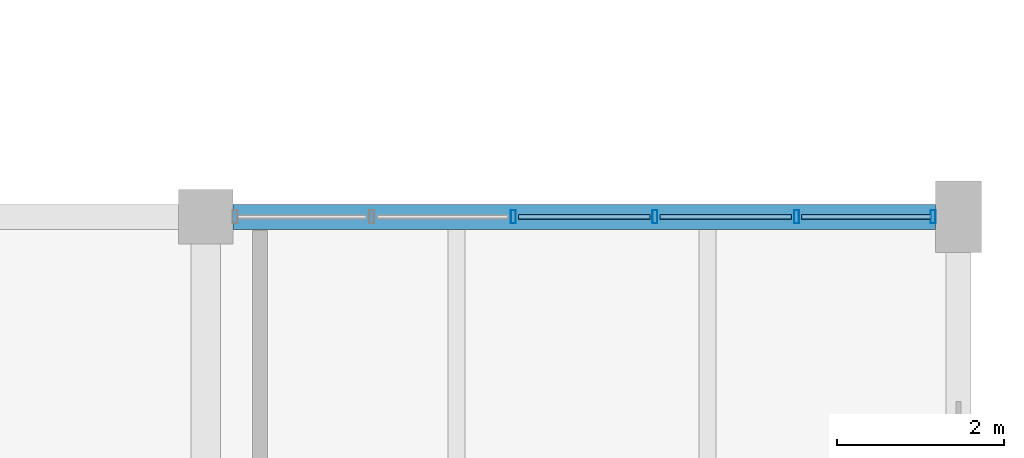
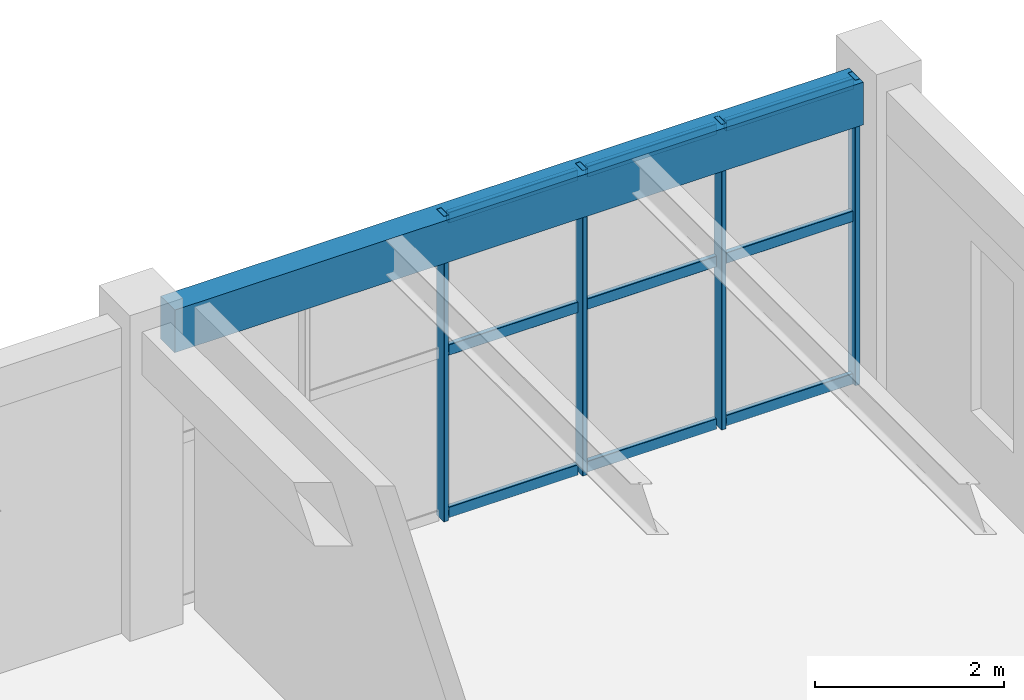
# One storey, part 52 of 71: 13 members, 1 beam, 1 element without a shape of its own.
"""IFC4 building model written with IfcOpenShell, lengths in metres."""

from ifc_helpers import new_model, si_unit, derived_unit, direction, frame, origin, origin_2d, place, context, subcontext, project, spatial, rectangle, hollow_rectangle, extrude, material, material_profile, profile_set, type_object, element, aggregate, save


model = new_model("IFC4")

# Units and contexts
model_context = context("Model", 3, precision=1e-05, world=origin(), true_north=direction((0.0, 1.0)))
body_context = subcontext(model_context, "Body", "Model", "MODEL_VIEW")
ifc_project = project(units=[si_unit("LENGTHUNIT", "METRE"), si_unit("AREAUNIT", "SQUARE_METRE"), si_unit("VOLUMEUNIT", "CUBIC_METRE"), si_unit("PLANEANGLEUNIT", "RADIAN"), si_unit("MASSUNIT", "GRAM", prefix="KILO"), derived_unit("THERMALTRANSMITTANCEUNIT", [(si_unit("MASSUNIT", "GRAM", prefix="KILO"), 1), (si_unit("TIMEUNIT", "SECOND"), -3), (si_unit("THERMODYNAMICTEMPERATUREUNIT", "KELVIN"), -1)])], contexts=[model_context])

# Site, building, storey
site_placement = place(None, origin())
site = spatial("IfcSite", under=ifc_project, at=site_placement, CompositionType="ELEMENT")
building_placement = place(site_placement, origin())
building = spatial("IfcBuilding", under=site, at=building_placement, Name="Zhenchuan Archway Interchange", CompositionType="ELEMENT")
storey_placement = place(building_placement, frame((0.0, 0.0, 18.60009765625)))
storey = spatial("IfcBuildingStorey", under=building, at=storey_placement, Name="L04", CompositionType="ELEMENT", Elevation=18.60009765625)

# Curtain wall, members
ifc_material_1 = material(Name="Anodised Aluminium", Category="aluminium")
curtain_wall_type = type_object("IfcCurtainWallType", Name="CW_UNIT_3", PredefinedType="NOTDEFINED", material=ifc_material_1)
curtain_wall_placement = place(storey_placement, origin())
curtain_wall = element("IfcCurtainWall", 1, at=curtain_wall_placement, inside=storey, type_object=curtain_wall_type, Name="Unitised curtain wall CW:L04:194", PredefinedType="NOTDEFINED")
ifc_material_profile_1 = material_profile(ifc_material_1, hollow_rectangle(XDim=0.06005859375, YDim=0.159912109375, WallThickness=0.00390625, InnerFilletRadius=0.00390625, OuterFilletRadius=0.008056640625, at=origin_2d()), Name="ALU 160x60x4")
ifc_profile_set_1 = profile_set([ifc_material_profile_1], Name="Anodised Aluminium")
member_type_1 = type_object("IfcMemberType", Name="CW_MUL_150", PredefinedType="MULLION", material=ifc_profile_set_1)
member_1_placement = place(storey_placement, frame((165.6787109375, 104.0, 0.0), z_axis=(0.0, 0.0, 1.0), x_axis=(1.0, 0.0, 0.0)))
member_1 = element("IfcMember", 2, at=member_1_placement, type_object=member_type_1, Name="CW:L04:194 mullion 2", PredefinedType="MULLION", context=body_context, shape_type="SweptSolid", body=[
    extrude(hollow_rectangle(XDim=0.06005859375, YDim=0.159912109375, WallThickness=0.00390625, InnerFilletRadius=0.00390625, OuterFilletRadius=0.008056640625, at=origin_2d()), origin(), (0.0, 0.0, 1.0), 3.93994140625),
])
member_2_placement = place(storey_placement, frame((167.371337890625, 104.0, 0.0), z_axis=(0.0, 0.0, 1.0), x_axis=(1.0, 0.0, 0.0)))
member_2 = element("IfcMember", 3, at=member_2_placement, type_object=member_type_1, Name="CW:L04:194 mullion 3", PredefinedType="MULLION", context=body_context, shape_type="SweptSolid", body=[
    extrude(hollow_rectangle(XDim=0.06005859375, YDim=0.159912109375, WallThickness=0.00390625, InnerFilletRadius=0.00390625, OuterFilletRadius=0.008056640625, at=origin_2d()), origin(), (0.0, 0.0, 1.0), 3.93994140625),
])
member_3_placement = place(storey_placement, frame((169.064208984375, 104.0, 0.0), z_axis=(0.0, 0.0, 1.0), x_axis=(1.0, 0.0, 0.0)))
member_3 = element("IfcMember", 4, at=member_3_placement, type_object=member_type_1, Name="CW:L04:194 mullion 4", PredefinedType="MULLION", context=body_context, shape_type="SweptSolid", body=[
    extrude(hollow_rectangle(XDim=0.06005859375, YDim=0.159912109375, WallThickness=0.00390625, InnerFilletRadius=0.00390625, OuterFilletRadius=0.008056640625, at=origin_2d()), origin(), (0.0, 0.0, 1.0), 3.93994140625),
])
member_4_placement = place(storey_placement, frame((170.697021484375, 104.0, 0.0), z_axis=(0.0, 0.0, 1.0), x_axis=(1.0, 0.0, 0.0)))
member_4 = element("IfcMember", 5, at=member_4_placement, type_object=member_type_1, Name="CW:L04:194 mullion 5", PredefinedType="MULLION", context=body_context, shape_type="SweptSolid", body=[
    extrude(hollow_rectangle(XDim=0.06005859375, YDim=0.159912109375, WallThickness=0.00390625, InnerFilletRadius=0.00390625, OuterFilletRadius=0.008056640625, at=origin_2d()), origin(), (0.0, 0.0, 1.0), 3.93994140625),
])
ifc_material_profile_2 = material_profile(ifc_material_1, hollow_rectangle(XDim=0.06005859375, YDim=0.139892578125, WallThickness=0.00341796875, InnerFilletRadius=0.00341796875, OuterFilletRadius=0.007080078125, at=origin_2d()), Name="ALU 140x60x3.5")
ifc_profile_set_2 = profile_set([ifc_material_profile_2], Name="Anodised Aluminium")
member_type_2 = type_object("IfcMemberType", Name="CW_TRN_140", PredefinedType="USERDEFINED", material=ifc_profile_set_2)
member_5_placement = place(storey_placement, frame((165.738525390625, 104.0, 0.059814453125), z_axis=(1.0, 0.0, 0.0), x_axis=(0.0, 1.0, 0.0)))
member_5 = element("IfcMember", 6, at=member_5_placement, type_object=member_type_2, Name="CW:L04:194 transom 2-1", ObjectType="TRANSOM", PredefinedType="USERDEFINED", context=body_context, shape_type="SweptSolid", body=[
    extrude(hollow_rectangle(XDim=0.06005859375, YDim=0.139892578125, WallThickness=0.00341796875, InnerFilletRadius=0.00341796875, OuterFilletRadius=0.007080078125, at=origin_2d()), origin(), (0.0, 0.0, 1.0), 1.57275390625),
])
member_6_placement = place(storey_placement, frame((165.738525390625, 104.0, 2.156005859375), z_axis=(1.0, 0.0, 0.0), x_axis=(0.0, 1.0, 0.0)))
member_6 = element("IfcMember", 7, at=member_6_placement, type_object=member_type_2, Name="CW:L04:194 transom 2-2", ObjectType="TRANSOM", PredefinedType="USERDEFINED", context=body_context, shape_type="SweptSolid", body=[
    extrude(hollow_rectangle(XDim=0.06005859375, YDim=0.139892578125, WallThickness=0.00341796875, InnerFilletRadius=0.00341796875, OuterFilletRadius=0.007080078125, at=origin_2d()), origin(), (0.0, 0.0, 1.0), 1.57275390625),
])
member_7_placement = place(storey_placement, frame((165.738525390625, 104.0, 3.85986328125), z_axis=(1.0, 0.0, 0.0), x_axis=(0.0, 1.0, 0.0)))
member_7 = element("IfcMember", 8, at=member_7_placement, type_object=member_type_2, Name="CW:L04:194 transom 2-3", ObjectType="TRANSOM", PredefinedType="USERDEFINED", context=body_context, shape_type="SweptSolid", body=[
    extrude(hollow_rectangle(XDim=0.06005859375, YDim=0.139892578125, WallThickness=0.00341796875, InnerFilletRadius=0.00341796875, OuterFilletRadius=0.007080078125, at=origin_2d()), origin(), (0.0, 0.0, 1.0), 1.57275390625),
])
member_8_placement = place(storey_placement, frame((167.431396484375, 104.0, 0.059814453125), z_axis=(1.0, 0.0, 0.0), x_axis=(0.0, 1.0, 0.0)))
member_8 = element("IfcMember", 9, at=member_8_placement, type_object=member_type_2, Name="CW:L04:194 transom 3-1", ObjectType="TRANSOM", PredefinedType="USERDEFINED", context=body_context, shape_type="SweptSolid", body=[
    extrude(hollow_rectangle(XDim=0.06005859375, YDim=0.139892578125, WallThickness=0.00341796875, InnerFilletRadius=0.00341796875, OuterFilletRadius=0.007080078125, at=origin_2d()), origin(), (0.0, 0.0, 1.0), 1.57275390625),
])
member_9_placement = place(storey_placement, frame((167.431396484375, 104.0, 2.156005859375), z_axis=(1.0, 0.0, 0.0), x_axis=(0.0, 1.0, 0.0)))
member_9 = element("IfcMember", 10, at=member_9_placement, type_object=member_type_2, Name="CW:L04:194 transom 3-2", ObjectType="TRANSOM", PredefinedType="USERDEFINED", context=body_context, shape_type="SweptSolid", body=[
    extrude(hollow_rectangle(XDim=0.06005859375, YDim=0.139892578125, WallThickness=0.00341796875, InnerFilletRadius=0.00341796875, OuterFilletRadius=0.007080078125, at=origin_2d()), origin(), (0.0, 0.0, 1.0), 1.57275390625),
])
member_10_placement = place(storey_placement, frame((167.431396484375, 104.0, 3.85986328125), z_axis=(1.0, 0.0, 0.0), x_axis=(0.0, 1.0, 0.0)))
member_10 = element("IfcMember", 11, at=member_10_placement, type_object=member_type_2, Name="CW:L04:194 transom 3-3", ObjectType="TRANSOM", PredefinedType="USERDEFINED", context=body_context, shape_type="SweptSolid", body=[
    extrude(hollow_rectangle(XDim=0.06005859375, YDim=0.139892578125, WallThickness=0.00341796875, InnerFilletRadius=0.00341796875, OuterFilletRadius=0.007080078125, at=origin_2d()), origin(), (0.0, 0.0, 1.0), 1.57275390625),
])
member_11_placement = place(storey_placement, frame((169.124267578125, 104.0, 0.059814453125), z_axis=(1.0, 0.0, 0.0), x_axis=(0.0, 1.0, 0.0)))
member_11 = element("IfcMember", 12, at=member_11_placement, type_object=member_type_2, Name="CW:L04:194 transom 4-1", ObjectType="TRANSOM", PredefinedType="USERDEFINED", context=body_context, shape_type="SweptSolid", body=[
    extrude(hollow_rectangle(XDim=0.06005859375, YDim=0.139892578125, WallThickness=0.00341796875, InnerFilletRadius=0.00341796875, OuterFilletRadius=0.007080078125, at=origin_2d()), origin(), (0.0, 0.0, 1.0), 1.552734375),
])
member_12_placement = place(storey_placement, frame((169.124267578125, 104.0, 2.156005859375), z_axis=(1.0, 0.0, 0.0), x_axis=(0.0, 1.0, 0.0)))
member_12 = element("IfcMember", 13, at=member_12_placement, type_object=member_type_2, Name="CW:L04:194 transom 4-2", ObjectType="TRANSOM", PredefinedType="USERDEFINED", context=body_context, shape_type="SweptSolid", body=[
    extrude(hollow_rectangle(XDim=0.06005859375, YDim=0.139892578125, WallThickness=0.00341796875, InnerFilletRadius=0.00341796875, OuterFilletRadius=0.007080078125, at=origin_2d()), origin(), (0.0, 0.0, 1.0), 1.552734375),
])
member_13_placement = place(storey_placement, frame((169.124267578125, 104.0, 3.85986328125), z_axis=(1.0, 0.0, 0.0), x_axis=(0.0, 1.0, 0.0)))
member_13 = element("IfcMember", 14, at=member_13_placement, type_object=member_type_2, Name="CW:L04:194 transom 4-3", ObjectType="TRANSOM", PredefinedType="USERDEFINED", context=body_context, shape_type="SweptSolid", body=[
    extrude(hollow_rectangle(XDim=0.06005859375, YDim=0.139892578125, WallThickness=0.00341796875, InnerFilletRadius=0.00341796875, OuterFilletRadius=0.007080078125, at=origin_2d()), origin(), (0.0, 0.0, 1.0), 1.552734375),
])
aggregate(curtain_wall, [member_1, member_2, member_3, member_4, member_5, member_6, member_7, member_8, member_9, member_10, member_11, member_12, member_13])

# Beam
ifc_material_2 = material(Name="Concrete C40", Category="concrete")
ifc_material_profile_3 = material_profile(ifc_material_2, rectangle(XDim=0.300048828125, YDim=0.550048828125, at=origin_2d()), Name="RC 300x550")
ifc_profile_set_3 = profile_set([ifc_material_profile_3], Name="Concrete C40")
beam_type = type_object("IfcBeamType", Name="SP_RC_300x550", PredefinedType="SPANDREL", material=ifc_profile_set_3)
beam_placement = place(storey_placement, frame((162.324951171875, 104.0, 3.664794921875), z_axis=(1.0, 0.0, 0.0), x_axis=(0.0, 1.0, 0.0)))
element("IfcBeam", 15, at=beam_placement, inside=storey, type_object=beam_type, Name="Beam O:19-20 (L04)", PredefinedType="SPANDREL", context=body_context, shape_type="SweptSolid", body=[
    extrude(rectangle(XDim=0.300048828125, YDim=0.550048828125, at=origin_2d()), origin(), (0.0, 0.0, 1.0), 8.400146484375),
])

save(model, "model.ifc")
